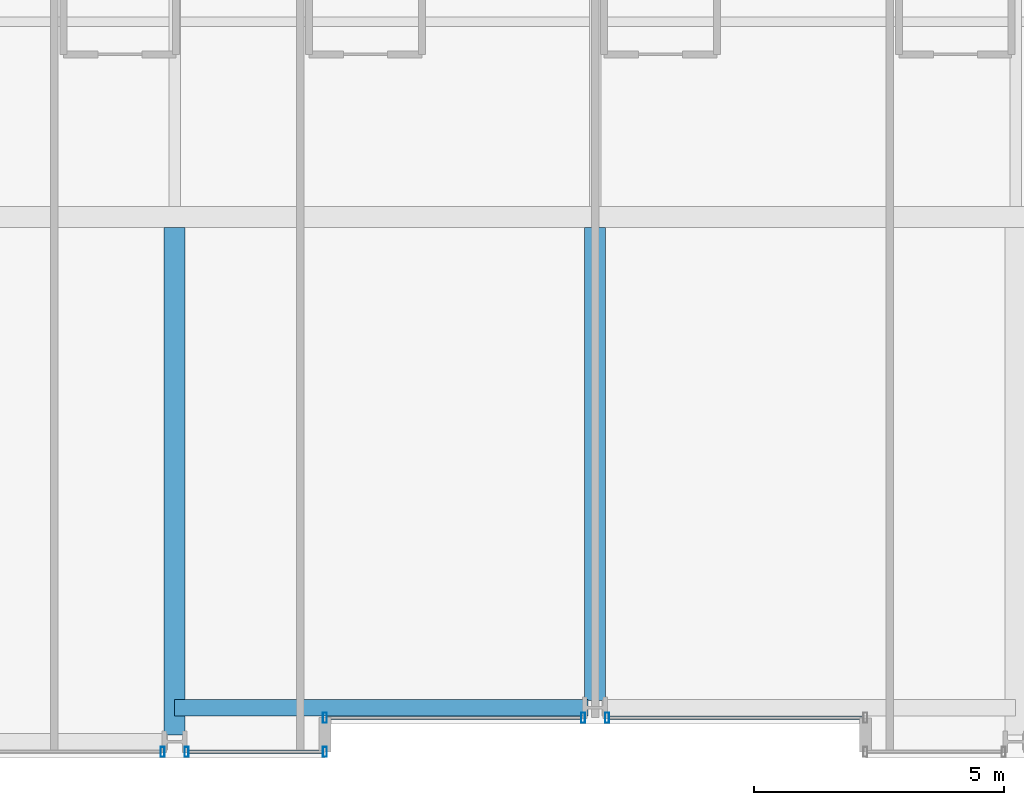
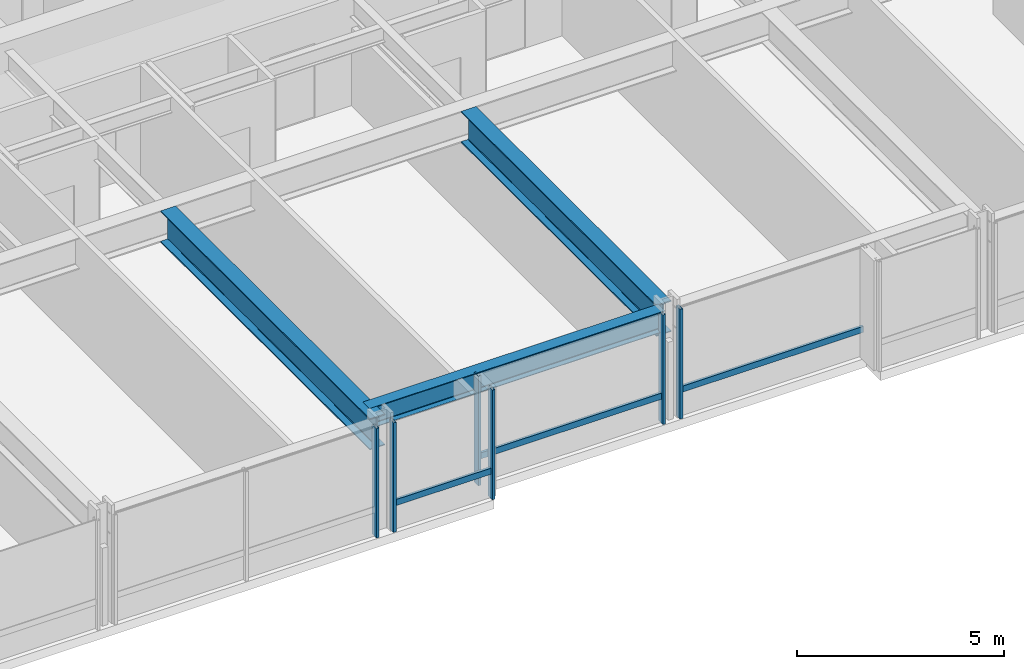
# One storey, part 5 of 39: 9 members, 3 beams, 4 elements without a shape of their own.
"""IFC4 building model written with IfcOpenShell, lengths in metres."""

from ifc_helpers import new_model, si_unit, direction, frame, origin, origin_2d, place, context, subcontext, project, spatial, hollow_rectangle, i_section, extrude, material, layer, layer_set, material_profile, profile_set, type_object, element, aggregate, save


model = new_model("IFC4")

# Units and contexts
model_context = context("Model", 3, precision=1e-05, world=origin(), true_north=direction((0.0, 1.0)))
body_context = subcontext(model_context, "Body", "Model", "MODEL_VIEW")
ifc_project = project(units=[si_unit("LENGTHUNIT", "METRE"), si_unit("AREAUNIT", "SQUARE_METRE"), si_unit("VOLUMEUNIT", "CUBIC_METRE"), si_unit("PLANEANGLEUNIT", "RADIAN"), si_unit("MASSUNIT", "GRAM", prefix="KILO")], contexts=[model_context])

# Site, building, storey
site_placement = place(None, origin())
site = spatial("IfcSite", under=ifc_project, at=site_placement, CompositionType="ELEMENT")
building_placement = place(site_placement, origin())
building = spatial("IfcBuilding", under=site, at=building_placement, Name="Drelvath Grand Hotel", CompositionType="ELEMENT")
storey_placement = place(building_placement, frame((0.0, 0.0, 40.199951171875)))
storey = spatial("IfcBuildingStorey", under=building, at=storey_placement, Name="L08", CompositionType="ELEMENT", Elevation=40.199951171875)

# Curtain wall, member
ifc_material_1 = material(Name="Warm Bronze Anodised Aluminium Frame", Category="aluminium")
ifc_layer = layer(ifc_material_1, 0.199951171875)
ifc_layer_set = layer_set([ifc_layer], Name="Warm Bronze Anodised Aluminium Frame")
curtain_wall_type = type_object("IfcCurtainWallType", Name="Stick Curtain Wall CW-02 Warm Bronze Low-Rise", PredefinedType="NOTDEFINED", material=ifc_layer_set)
curtain_wall_1_placement = place(storey_placement, origin())
curtain_wall_1 = element("IfcCurtainWall", 1, at=curtain_wall_1_placement, inside=storey, type_object=curtain_wall_type, Name="L08 CW-02 Curtain Wall CW02-L08-SM1", PredefinedType="NOTDEFINED")
ifc_material_profile_1 = material_profile(ifc_material_1, hollow_rectangle(XDim=0.074951171875, YDim=0.179931640625, WallThickness=0.0048828125, at=origin_2d()), Name="HSS180X75X5")
ifc_profile_set_1 = profile_set([ifc_material_profile_1], Name="Warm Bronze Anodised Aluminium Frame")
member_type_1 = type_object("IfcMemberType", Name="Curtain Wall Horizontal Transom CW-02 HSS180X75X5", PredefinedType="USERDEFINED", material=ifc_profile_set_1)
member_1_placement = place(storey_placement, frame((-0.281005859375, 0.800048828125, 0.81005859375), z_axis=(-1.0, 0.0, 0.0), x_axis=(0.0, -1.0, 0.0)))
member_1 = element("IfcMember", 2, at=member_1_placement, type_object=member_type_1, Name="CW02-L08-SM1 Sill Transom", ObjectType="TRANSOM", PredefinedType="USERDEFINED", context=body_context, shape_type="SweptSolid", body=[
    extrude(hollow_rectangle(XDim=0.074951171875, YDim=0.179931640625, WallThickness=0.0048828125, at=origin_2d()), origin(), (0.0, 0.0, 1.0), 5.0791015625),
])

curtain_wall_2_placement = place(storey_placement, origin())
curtain_wall_2 = element("IfcCurtainWall", 3, at=curtain_wall_2_placement, inside=storey, type_object=curtain_wall_type, Name="L08 CW-02 Curtain Wall CW02-L08-SM2", PredefinedType="NOTDEFINED")
member_2_placement = place(storey_placement, frame((5.360107421875, 0.800048828125, 0.81005859375), z_axis=(-1.0, 0.0, 0.0), x_axis=(0.0, -1.0, 0.0)))
member_2 = element("IfcMember", 4, at=member_2_placement, type_object=member_type_1, Name="CW02-L08-SM2 Sill Transom", ObjectType="TRANSOM", PredefinedType="USERDEFINED", context=body_context, shape_type="SweptSolid", body=[
    extrude(hollow_rectangle(XDim=0.074951171875, YDim=0.179931640625, WallThickness=0.0048828125, at=origin_2d()), origin(), (0.0, 0.0, 1.0), 5.0791015625),
])

curtain_wall_3_placement = place(storey_placement, origin())
curtain_wall_3 = element("IfcCurtainWall", 5, at=curtain_wall_3_placement, inside=storey, type_object=curtain_wall_type, Name="L08 CW-02 Curtain Wall CW02-L08-SW3", PredefinedType="NOTDEFINED")
member_3_placement = place(storey_placement, frame((-5.43994140625, 0.1201171875, 0.81005859375), z_axis=(-1.0, 0.0, 0.0), x_axis=(0.0, -1.0, 0.0)))
member_3 = element("IfcMember", 6, at=member_3_placement, type_object=member_type_1, Name="CW02-L08-SW3 Sill Transom", ObjectType="TRANSOM", PredefinedType="USERDEFINED", context=body_context, shape_type="SweptSolid", body=[
    extrude(hollow_rectangle(XDim=0.074951171875, YDim=0.179931640625, WallThickness=0.0048828125, at=origin_2d()), origin(), (0.0, 0.0, 1.0), 2.67919921875),
])

# Member
ifc_material_profile_2 = material_profile(ifc_material_1, hollow_rectangle(XDim=0.080078125, YDim=0.199951171875, WallThickness=0.0048828125, at=origin_2d()), Name="HSS200X80X5")
ifc_profile_set_2 = profile_set([ifc_material_profile_2], Name="Warm Bronze Anodised Aluminium Frame")
member_type_2 = type_object("IfcMemberType", Name="Curtain Wall Vertical Mullion CW-02 HSS200X80X5", PredefinedType="MULLION", material=ifc_profile_set_2)
member_4_placement = place(storey_placement, frame((-0.240966796875, 0.800048828125, 0.0), z_axis=(0.0, 0.0, 1.0), x_axis=(1.0, 0.0, 0.0)))
member_4 = element("IfcMember", 7, at=member_4_placement, type_object=member_type_2, Name="CW02-L08-SM1 Mullion 1", PredefinedType="MULLION", context=body_context, shape_type="SweptSolid", body=[
    extrude(hollow_rectangle(XDim=0.080078125, YDim=0.199951171875, WallThickness=0.0048828125, at=origin_2d()), origin(), (0.0, 0.0, 1.0), 3.239990234375),
])

member_5_placement = place(storey_placement, frame((-5.39990234375, 0.800048828125, 0.0), z_axis=(0.0, 0.0, 1.0), x_axis=(1.0, 0.0, 0.0)))
member_5 = element("IfcMember", 8, at=member_5_placement, type_object=member_type_2, Name="CW02-L08-SM1 Mullion 2", PredefinedType="MULLION", context=body_context, shape_type="SweptSolid", body=[
    extrude(hollow_rectangle(XDim=0.080078125, YDim=0.199951171875, WallThickness=0.0048828125, at=origin_2d()), origin(), (0.0, 0.0, 1.0), 3.239990234375),
])

aggregate(curtain_wall_1, [member_4, member_5, member_1])

member_6_placement = place(storey_placement, frame((0.240966796875, 0.800048828125, 0.0), z_axis=(0.0, 0.0, 1.0), x_axis=(1.0, 0.0, 0.0)))
member_6 = element("IfcMember", 9, at=member_6_placement, type_object=member_type_2, Name="CW02-L08-SM2 Mullion 2", PredefinedType="MULLION", context=body_context, shape_type="SweptSolid", body=[
    extrude(hollow_rectangle(XDim=0.080078125, YDim=0.199951171875, WallThickness=0.0048828125, at=origin_2d()), origin(), (0.0, 0.0, 1.0), 3.239990234375),
])

aggregate(curtain_wall_2, [member_6, member_2])

# Curtain wall, member
curtain_wall_4_placement = place(storey_placement, origin())
curtain_wall_4 = element("IfcCurtainWall", 10, at=curtain_wall_4_placement, inside=storey, type_object=curtain_wall_type, Name="L08 CW-02 Curtain Wall CW02-L08-SW2", PredefinedType="NOTDEFINED")
member_7_placement = place(storey_placement, frame((-8.640869140625, 0.1201171875, 0.0), z_axis=(0.0, 0.0, 1.0), x_axis=(1.0, 0.0, 0.0)))
member_7 = element("IfcMember", 11, at=member_7_placement, type_object=member_type_2, Name="CW02-L08-SW2 Mullion 1", PredefinedType="MULLION", context=body_context, shape_type="SweptSolid", body=[
    extrude(hollow_rectangle(XDim=0.080078125, YDim=0.199951171875, WallThickness=0.0048828125, at=origin_2d()), origin(), (0.0, 0.0, 1.0), 3.239990234375),
])
aggregate(curtain_wall_4, [member_7])

# Member
member_8_placement = place(storey_placement, frame((-5.39990234375, 0.1201171875, 0.0), z_axis=(0.0, 0.0, 1.0), x_axis=(1.0, 0.0, 0.0)))
member_8 = element("IfcMember", 12, at=member_8_placement, type_object=member_type_2, Name="CW02-L08-SW3 Mullion 1", PredefinedType="MULLION", context=body_context, shape_type="SweptSolid", body=[
    extrude(hollow_rectangle(XDim=0.080078125, YDim=0.199951171875, WallThickness=0.0048828125, at=origin_2d()), origin(), (0.0, 0.0, 1.0), 3.239990234375),
])

member_9_placement = place(storey_placement, frame((-8.1591796875, 0.1201171875, 0.0), z_axis=(0.0, 0.0, 1.0), x_axis=(1.0, 0.0, 0.0)))
member_9 = element("IfcMember", 13, at=member_9_placement, type_object=member_type_2, Name="CW02-L08-SW3 Mullion 2", PredefinedType="MULLION", context=body_context, shape_type="SweptSolid", body=[
    extrude(hollow_rectangle(XDim=0.080078125, YDim=0.199951171875, WallThickness=0.0048828125, at=origin_2d()), origin(), (0.0, 0.0, 1.0), 3.239990234375),
])

aggregate(curtain_wall_3, [member_8, member_9, member_3])

# Beams
ifc_material_2 = material(Name="Steel ASTM A992 Gr 50", Category="steel")
ifc_material_profile_3 = material_profile(ifc_material_2, i_section(OverallWidth=0.323974609375, OverallDepth=0.611083984375, WebThickness=0.0126953125, FlangeThickness=0.01904296875, FilletRadius=0.02197265625, at=origin_2d()), Name="W24X104")
ifc_profile_set_3 = profile_set([ifc_material_profile_3], Name="Steel ASTM A992 Gr 50")
beam_type_1 = type_object("IfcBeamType", Name="Perimeter Spandrel Beam W24X104", PredefinedType="SPANDREL", material=ifc_profile_set_3)
beam_1_placement = place(storey_placement, frame((-8.39990234375, 1.0, 2.9345703125), z_axis=(1.0, 0.0, 0.0), x_axis=(0.0, 1.0, 0.0)))
element("IfcBeam", 14, at=beam_1_placement, inside=storey, type_object=beam_type_1, Name="L08 Spandrel South Mid W", PredefinedType="SPANDREL", context=body_context, shape_type="SweptSolid", body=[
    extrude(i_section(OverallWidth=0.323974609375, OverallDepth=0.611083984375, WebThickness=0.0126953125, FlangeThickness=0.01904296875, FilletRadius=0.02197265625, at=origin_2d()), origin(), (0.0, 0.0, 1.0), 8.260009765625),
])
ifc_material_profile_4 = material_profile(ifc_material_2, i_section(OverallWidth=0.418212890625, OverallDepth=0.926513671875, WebThickness=0.019287109375, FlangeThickness=0.031982421875, FilletRadius=0.028076171875, at=origin_2d()), Name="W36X231")
ifc_profile_set_4 = profile_set([ifc_material_profile_4], Name="Steel ASTM A992 Gr 50")
beam_type_2 = type_object("IfcBeamType", Name="Primary Floor Girder W36X231", PredefinedType="BEAM", material=ifc_profile_set_4)
beam_2_placement = place(storey_placement, frame((-8.39990234375, 0.4599609375, 2.77685546875), z_axis=(0.0, 1.0, 0.0), x_axis=(-1.0, 0.0, 0.0)))
element("IfcBeam", 15, at=beam_2_placement, inside=storey, type_object=beam_type_2, Name="L08 South Wing Girder 4", PredefinedType="BEAM", context=body_context, shape_type="SweptSolid", body=[
    extrude(i_section(OverallWidth=0.418212890625, OverallDepth=0.926513671875, WebThickness=0.019287109375, FlangeThickness=0.031982421875, FilletRadius=0.028076171875, at=origin_2d()), origin(), (0.0, 0.0, 1.0), 10.130859375),
])
beam_3_placement = place(storey_placement, frame((0.0, 1.139892578125, 2.77685546875), z_axis=(0.0, 1.0, 0.0), x_axis=(-1.0, 0.0, 0.0)))
element("IfcBeam", 16, at=beam_3_placement, inside=storey, type_object=beam_type_2, Name="L08 South Wing Girder 5", PredefinedType="BEAM", context=body_context, shape_type="SweptSolid", body=[
    extrude(i_section(OverallWidth=0.418212890625, OverallDepth=0.926513671875, WebThickness=0.019287109375, FlangeThickness=0.031982421875, FilletRadius=0.028076171875, at=origin_2d()), origin(), (0.0, 0.0, 1.0), 9.450927734375),
])

save(model, "model.ifc")
